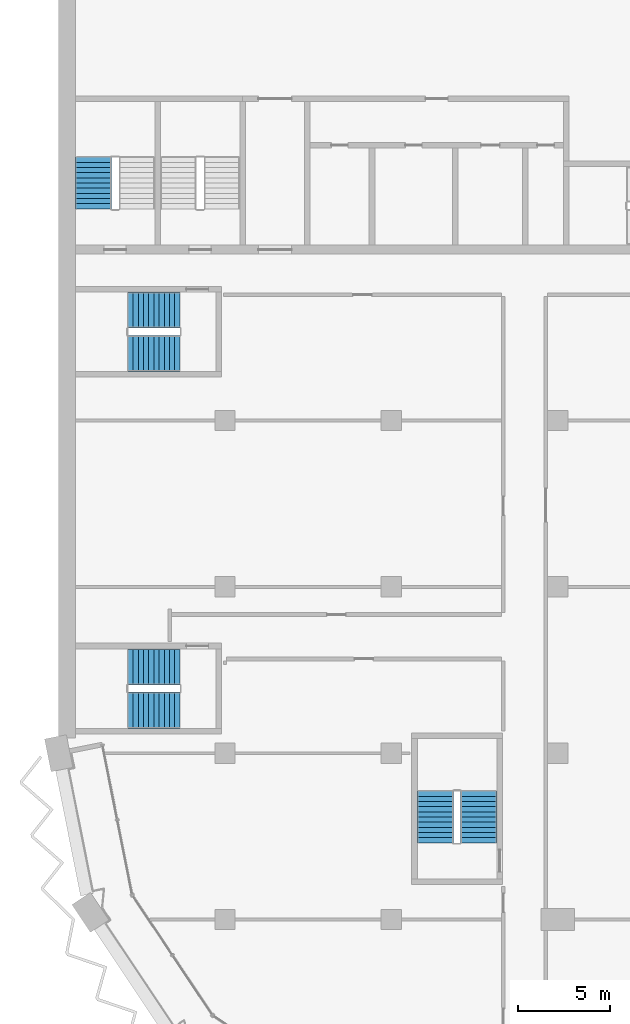
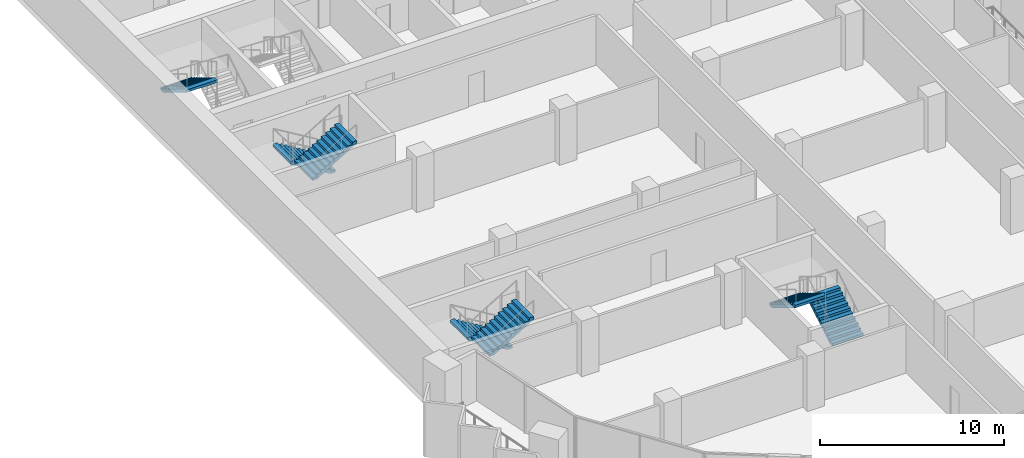
# One storey, part 11 of 17: 7 stair flights, 4 elements without a shape of their own.
"""IFC4 building model written with IfcOpenShell, lengths in metres."""

from ifc_helpers import new_model, si_unit, direction, frame, origin, place, context, subcontext, project, spatial, polyline, outline, extrude, material, type_object, element, aggregate, save


model = new_model("IFC4")

# Units and contexts
model_context = context("Model", 3, precision=1e-05, world=origin(), true_north=direction((0.0, 1.0)))
body_context = subcontext(model_context, "Body", "Model", "MODEL_VIEW")
ifc_project = project(units=[si_unit("LENGTHUNIT", "METRE"), si_unit("AREAUNIT", "SQUARE_METRE"), si_unit("VOLUMEUNIT", "CUBIC_METRE"), si_unit("PLANEANGLEUNIT", "RADIAN"), si_unit("MASSUNIT", "GRAM", prefix="KILO")], contexts=[model_context])

# Site, building, storey
site_placement = place(None, origin())
site = spatial("IfcSite", under=ifc_project, at=site_placement, CompositionType="ELEMENT")
building_placement = place(site_placement, origin())
building = spatial("IfcBuilding", under=site, at=building_placement, Name="Hunhe Ridgeline Campus", CompositionType="ELEMENT")
storey_placement = place(building_placement, frame((0.0, 0.0, 201.300048828125)))
storey = spatial("IfcBuildingStorey", under=building, at=storey_placement, Name="L51", CompositionType="ELEMENT", Elevation=201.300048828125)

# Stair, stair flight
ifc_material = material(Name="Concrete C40", Category="concrete")
stair_type = type_object("IfcStairType", Name="Reinforced concrete dog-leg stair 1950 Concrete C40", PredefinedType="HALF_TURN_STAIR", material=ifc_material)
stair_1_placement = place(storey_placement, origin())
stair_1 = element("IfcStair", 1, at=stair_1_placement, inside=storey, type_object=stair_type, Name="L51 S3", PredefinedType="HALF_TURN_STAIR")
stair_flight_type = type_object("IfcStairFlightType", Name="Reinforced concrete stair flight 1950 Concrete C40", PredefinedType="STRAIGHT", material=ifc_material)
stair_flight_1_placement = place(storey_placement, frame((1.875, 68.25, 1.849853515625), z_axis=(0.0, 0.0, 1.0), x_axis=(0.0, -1.0, 0.0)))
stair_flight_1 = element("IfcStairFlight", 2, at=stair_flight_1_placement, type_object=stair_flight_type, Name="ST3 flight 2", NumberOfRisers=11, NumberOfTreads=10, PredefinedType="STRAIGHT", RiserHeight=0.168181818, TreadLength=0.28, context=body_context, shape_type="SweptSolid", body=[
    extrude(outline(polyline([(0.0, 0.0), (0.0, 0.168212890625), (0.280029296875, 0.168212890625), (0.280029296875, 0.33642578125), (0.56005859375, 0.33642578125), (0.56005859375, 0.504638671875), (0.840087890625, 0.504638671875), (0.840087890625, 0.672607421875), (1.1201171875, 0.672607421875), (1.1201171875, 0.8408203125), (1.39990234375, 0.8408203125), (1.39990234375, 1.009033203125), (1.679931640625, 1.009033203125), (1.679931640625, 1.17724609375), (1.9599609375, 1.17724609375), (1.9599609375, 1.345458984375), (2.239990234375, 1.345458984375), (2.239990234375, 1.513671875), (2.52001953125, 1.513671875), (2.52001953125, 1.681884765625), (2.800048828125, 1.681884765625), (2.800048828125, 1.85009765625), (2.800048828125, 1.5068359375), (0.291015625, 0.0), (0.0, 0.0)])), frame((0.0, 0.97509765625, 0.0), z_axis=(0.0, -1.0, 0.0), x_axis=(1.0, 0.0, 0.0)), (0.0, 0.0, 1.0), 1.949951171875),
    extrude(outline(polyline([(0.030029296875, 0.030029296875), (0.030029296875, 0.13818359375), (0.31005859375, 0.13818359375), (0.31005859375, 0.306396484375), (0.590087890625, 0.306396484375), (0.590087890625, 0.474609375), (0.8701171875, 0.474609375), (0.8701171875, 0.642578125), (1.14990234375, 0.642578125), (1.14990234375, 0.810791015625), (1.429931640625, 0.810791015625), (1.429931640625, 0.97900390625), (1.7099609375, 0.97900390625), (1.7099609375, 1.147216796875), (1.989990234375, 1.147216796875), (1.989990234375, 1.3154296875), (2.27001953125, 1.3154296875), (2.27001953125, 1.483642578125), (2.550048828125, 1.483642578125), (2.550048828125, 1.65185546875), (2.77001953125, 1.65185546875), (2.77001953125, 1.52392578125), (0.28271484375, 0.030029296875), (0.030029296875, 0.030029296875)])), frame((0.0, -0.070068359375, 0.0), z_axis=(0.0, -1.0, 0.0), x_axis=(1.0, 0.0, 0.0)), (0.0, 0.0, 1.0), 0.019775390625),
    extrude(outline(polyline([(0.030029296875, 0.030029296875), (0.030029296875, 0.13818359375), (0.31005859375, 0.13818359375), (0.31005859375, 0.306396484375), (0.590087890625, 0.306396484375), (0.590087890625, 0.474609375), (0.8701171875, 0.474609375), (0.8701171875, 0.642578125), (1.14990234375, 0.642578125), (1.14990234375, 0.810791015625), (1.429931640625, 0.810791015625), (1.429931640625, 0.97900390625), (1.7099609375, 0.97900390625), (1.7099609375, 1.147216796875), (1.989990234375, 1.147216796875), (1.989990234375, 1.3154296875), (2.27001953125, 1.3154296875), (2.27001953125, 1.483642578125), (2.550048828125, 1.483642578125), (2.550048828125, 1.65185546875), (2.77001953125, 1.65185546875), (2.77001953125, 1.52392578125), (0.28271484375, 0.030029296875), (0.030029296875, 0.030029296875)])), frame((0.0, 0.010009765625, 0.0), z_axis=(0.0, -1.0, 0.0), x_axis=(1.0, 0.0, 0.0)), (0.0, 0.0, 1.0), 0.019775390625),
    extrude(outline(polyline([(0.030029296875, 0.030029296875), (0.030029296875, 0.13818359375), (0.31005859375, 0.13818359375), (0.31005859375, 0.306396484375), (0.590087890625, 0.306396484375), (0.590087890625, 0.474609375), (0.8701171875, 0.474609375), (0.8701171875, 0.642578125), (1.14990234375, 0.642578125), (1.14990234375, 0.810791015625), (1.429931640625, 0.810791015625), (1.429931640625, 0.97900390625), (1.7099609375, 0.97900390625), (1.7099609375, 1.147216796875), (1.989990234375, 1.147216796875), (1.989990234375, 1.3154296875), (2.27001953125, 1.3154296875), (2.27001953125, 1.483642578125), (2.550048828125, 1.483642578125), (2.550048828125, 1.65185546875), (2.77001953125, 1.65185546875), (2.77001953125, 1.52392578125), (0.28271484375, 0.030029296875), (0.030029296875, 0.030029296875)])), frame((0.0, 0.090087890625, 0.0), z_axis=(0.0, -1.0, 0.0), x_axis=(1.0, 0.0, 0.0)), (0.0, 0.0, 1.0), 0.019775390625),
])
aggregate(stair_1, [stair_flight_1])

# Stair, stair flights
stair_2_placement = place(storey_placement, origin())
stair_2 = element("IfcStair", 3, at=stair_2_placement, inside=storey, type_object=stair_type, Name="L51 W3", PredefinedType="HALF_TURN_STAIR")
stair_flight_2_placement = place(storey_placement, frame((22.72509765625, 31.14990234375, 0.0), z_axis=(0.0, 0.0, 1.0), x_axis=(0.0, 1.0, 0.0)))
stair_flight_2 = element("IfcStairFlight", 4, at=stair_flight_2_placement, type_object=stair_flight_type, Name="ST9 flight 1", NumberOfRisers=11, NumberOfTreads=10, PredefinedType="STRAIGHT", RiserHeight=0.168181818, TreadLength=0.28, context=body_context, shape_type="SweptSolid", body=[
    extrude(outline(polyline([(0.0, 0.0), (0.0, 0.168212890625), (0.280029296875, 0.168212890625), (0.280029296875, 0.33642578125), (0.56005859375, 0.33642578125), (0.56005859375, 0.504638671875), (0.840087890625, 0.504638671875), (0.840087890625, 0.672607421875), (1.1201171875, 0.672607421875), (1.1201171875, 0.8408203125), (1.39990234375, 0.8408203125), (1.39990234375, 1.009033203125), (1.679931640625, 1.009033203125), (1.679931640625, 1.17724609375), (1.9599609375, 1.17724609375), (1.9599609375, 1.345458984375), (2.239990234375, 1.345458984375), (2.239990234375, 1.513671875), (2.52001953125, 1.513671875), (2.52001953125, 1.681884765625), (2.800048828125, 1.681884765625), (2.800048828125, 1.85009765625), (2.800048828125, 1.5068359375), (0.291015625, 0.0), (0.0, 0.0)])), frame((0.0, 0.97509765625, 0.0), z_axis=(0.0, -1.0, 0.0), x_axis=(1.0, 0.0, 0.0)), (0.0, 0.0, 1.0), 1.949951171875),
    extrude(outline(polyline([(0.030029296875, 0.030029296875), (0.030029296875, 0.13818359375), (0.31005859375, 0.13818359375), (0.31005859375, 0.306396484375), (0.590087890625, 0.306396484375), (0.590087890625, 0.474609375), (0.8701171875, 0.474609375), (0.8701171875, 0.642578125), (1.14990234375, 0.642578125), (1.14990234375, 0.810791015625), (1.429931640625, 0.810791015625), (1.429931640625, 0.97900390625), (1.7099609375, 0.97900390625), (1.7099609375, 1.147216796875), (1.989990234375, 1.147216796875), (1.989990234375, 1.3154296875), (2.27001953125, 1.3154296875), (2.27001953125, 1.483642578125), (2.550048828125, 1.483642578125), (2.550048828125, 1.65185546875), (2.77001953125, 1.65185546875), (2.77001953125, 1.52392578125), (0.28271484375, 0.030029296875), (0.030029296875, 0.030029296875)])), frame((0.0, -0.070068359375, 0.0), z_axis=(0.0, -1.0, 0.0), x_axis=(1.0, 0.0, 0.0)), (0.0, 0.0, 1.0), 0.019775390625),
    extrude(outline(polyline([(0.030029296875, 0.030029296875), (0.030029296875, 0.13818359375), (0.31005859375, 0.13818359375), (0.31005859375, 0.306396484375), (0.590087890625, 0.306396484375), (0.590087890625, 0.474609375), (0.8701171875, 0.474609375), (0.8701171875, 0.642578125), (1.14990234375, 0.642578125), (1.14990234375, 0.810791015625), (1.429931640625, 0.810791015625), (1.429931640625, 0.97900390625), (1.7099609375, 0.97900390625), (1.7099609375, 1.147216796875), (1.989990234375, 1.147216796875), (1.989990234375, 1.3154296875), (2.27001953125, 1.3154296875), (2.27001953125, 1.483642578125), (2.550048828125, 1.483642578125), (2.550048828125, 1.65185546875), (2.77001953125, 1.65185546875), (2.77001953125, 1.52392578125), (0.28271484375, 0.030029296875), (0.030029296875, 0.030029296875)])), frame((0.0, 0.010009765625, 0.0), z_axis=(0.0, -1.0, 0.0), x_axis=(1.0, 0.0, 0.0)), (0.0, 0.0, 1.0), 0.019775390625),
    extrude(outline(polyline([(0.030029296875, 0.030029296875), (0.030029296875, 0.13818359375), (0.31005859375, 0.13818359375), (0.31005859375, 0.306396484375), (0.590087890625, 0.306396484375), (0.590087890625, 0.474609375), (0.8701171875, 0.474609375), (0.8701171875, 0.642578125), (1.14990234375, 0.642578125), (1.14990234375, 0.810791015625), (1.429931640625, 0.810791015625), (1.429931640625, 0.97900390625), (1.7099609375, 0.97900390625), (1.7099609375, 1.147216796875), (1.989990234375, 1.147216796875), (1.989990234375, 1.3154296875), (2.27001953125, 1.3154296875), (2.27001953125, 1.483642578125), (2.550048828125, 1.483642578125), (2.550048828125, 1.65185546875), (2.77001953125, 1.65185546875), (2.77001953125, 1.52392578125), (0.28271484375, 0.030029296875), (0.030029296875, 0.030029296875)])), frame((0.0, 0.090087890625, 0.0), z_axis=(0.0, -1.0, 0.0), x_axis=(1.0, 0.0, 0.0)), (0.0, 0.0, 1.0), 0.019775390625),
])
stair_flight_3_placement = place(storey_placement, frame((20.375, 33.949951171875, 1.849853515625), z_axis=(0.0, 0.0, 1.0), x_axis=(0.0, -1.0, 0.0)))
stair_flight_3 = element("IfcStairFlight", 5, at=stair_flight_3_placement, type_object=stair_flight_type, Name="ST9 flight 2", NumberOfRisers=11, NumberOfTreads=10, PredefinedType="STRAIGHT", RiserHeight=0.168181818, TreadLength=0.28, context=body_context, shape_type="SweptSolid", body=[
    extrude(outline(polyline([(0.0, 0.0), (0.0, 0.168212890625), (0.280029296875, 0.168212890625), (0.280029296875, 0.33642578125), (0.56005859375, 0.33642578125), (0.56005859375, 0.504638671875), (0.840087890625, 0.504638671875), (0.840087890625, 0.672607421875), (1.1201171875, 0.672607421875), (1.1201171875, 0.8408203125), (1.39990234375, 0.8408203125), (1.39990234375, 1.009033203125), (1.679931640625, 1.009033203125), (1.679931640625, 1.17724609375), (1.9599609375, 1.17724609375), (1.9599609375, 1.345458984375), (2.239990234375, 1.345458984375), (2.239990234375, 1.513671875), (2.52001953125, 1.513671875), (2.52001953125, 1.681884765625), (2.800048828125, 1.681884765625), (2.800048828125, 1.85009765625), (2.800048828125, 1.5068359375), (0.291015625, 0.0), (0.0, 0.0)])), frame((0.0, 0.97509765625, 0.0), z_axis=(0.0, -1.0, 0.0), x_axis=(1.0, 0.0, 0.0)), (0.0, 0.0, 1.0), 1.949951171875),
    extrude(outline(polyline([(0.030029296875, 0.030029296875), (0.030029296875, 0.13818359375), (0.31005859375, 0.13818359375), (0.31005859375, 0.306396484375), (0.590087890625, 0.306396484375), (0.590087890625, 0.474609375), (0.8701171875, 0.474609375), (0.8701171875, 0.642578125), (1.14990234375, 0.642578125), (1.14990234375, 0.810791015625), (1.429931640625, 0.810791015625), (1.429931640625, 0.97900390625), (1.7099609375, 0.97900390625), (1.7099609375, 1.147216796875), (1.989990234375, 1.147216796875), (1.989990234375, 1.3154296875), (2.27001953125, 1.3154296875), (2.27001953125, 1.483642578125), (2.550048828125, 1.483642578125), (2.550048828125, 1.65185546875), (2.77001953125, 1.65185546875), (2.77001953125, 1.52392578125), (0.28271484375, 0.030029296875), (0.030029296875, 0.030029296875)])), frame((0.0, -0.070068359375, 0.0), z_axis=(0.0, -1.0, 0.0), x_axis=(1.0, 0.0, 0.0)), (0.0, 0.0, 1.0), 0.019775390625),
    extrude(outline(polyline([(0.030029296875, 0.030029296875), (0.030029296875, 0.13818359375), (0.31005859375, 0.13818359375), (0.31005859375, 0.306396484375), (0.590087890625, 0.306396484375), (0.590087890625, 0.474609375), (0.8701171875, 0.474609375), (0.8701171875, 0.642578125), (1.14990234375, 0.642578125), (1.14990234375, 0.810791015625), (1.429931640625, 0.810791015625), (1.429931640625, 0.97900390625), (1.7099609375, 0.97900390625), (1.7099609375, 1.147216796875), (1.989990234375, 1.147216796875), (1.989990234375, 1.3154296875), (2.27001953125, 1.3154296875), (2.27001953125, 1.483642578125), (2.550048828125, 1.483642578125), (2.550048828125, 1.65185546875), (2.77001953125, 1.65185546875), (2.77001953125, 1.52392578125), (0.28271484375, 0.030029296875), (0.030029296875, 0.030029296875)])), frame((0.0, 0.010009765625, 0.0), z_axis=(0.0, -1.0, 0.0), x_axis=(1.0, 0.0, 0.0)), (0.0, 0.0, 1.0), 0.019775390625),
    extrude(outline(polyline([(0.030029296875, 0.030029296875), (0.030029296875, 0.13818359375), (0.31005859375, 0.13818359375), (0.31005859375, 0.306396484375), (0.590087890625, 0.306396484375), (0.590087890625, 0.474609375), (0.8701171875, 0.474609375), (0.8701171875, 0.642578125), (1.14990234375, 0.642578125), (1.14990234375, 0.810791015625), (1.429931640625, 0.810791015625), (1.429931640625, 0.97900390625), (1.7099609375, 0.97900390625), (1.7099609375, 1.147216796875), (1.989990234375, 1.147216796875), (1.989990234375, 1.3154296875), (2.27001953125, 1.3154296875), (2.27001953125, 1.483642578125), (2.550048828125, 1.483642578125), (2.550048828125, 1.65185546875), (2.77001953125, 1.65185546875), (2.77001953125, 1.52392578125), (0.28271484375, 0.030029296875), (0.030029296875, 0.030029296875)])), frame((0.0, 0.090087890625, 0.0), z_axis=(0.0, -1.0, 0.0), x_axis=(1.0, 0.0, 0.0)), (0.0, 0.0, 1.0), 0.019775390625),
])
aggregate(stair_2, [stair_flight_2, stair_flight_3])

stair_3_placement = place(storey_placement, origin())
stair_3 = element("IfcStair", 6, at=stair_3_placement, inside=storey, type_object=stair_type, Name="L51 W1", PredefinedType="HALF_TURN_STAIR")
stair_flight_4_placement = place(storey_placement, frame((6.550048828125, 40.675048828125, 0.0), z_axis=(0.0, 0.0, 1.0), x_axis=(-1.0, 0.0, 0.0)))
stair_flight_4 = element("IfcStairFlight", 7, at=stair_flight_4_placement, type_object=stair_flight_type, Name="ST11 flight 1", NumberOfRisers=11, NumberOfTreads=10, PredefinedType="STRAIGHT", RiserHeight=0.168181818, TreadLength=0.28, context=body_context, shape_type="SweptSolid", body=[
    extrude(outline(polyline([(0.0, 0.0), (0.0, 0.168212890625), (0.280029296875, 0.168212890625), (0.280029296875, 0.33642578125), (0.56005859375, 0.33642578125), (0.56005859375, 0.504638671875), (0.840087890625, 0.504638671875), (0.840087890625, 0.672607421875), (1.1201171875, 0.672607421875), (1.1201171875, 0.8408203125), (1.39990234375, 0.8408203125), (1.39990234375, 1.009033203125), (1.679931640625, 1.009033203125), (1.679931640625, 1.17724609375), (1.9599609375, 1.17724609375), (1.9599609375, 1.345458984375), (2.239990234375, 1.345458984375), (2.239990234375, 1.513671875), (2.52001953125, 1.513671875), (2.52001953125, 1.681884765625), (2.800048828125, 1.681884765625), (2.800048828125, 1.85009765625), (2.800048828125, 1.5068359375), (0.291015625, 0.0), (0.0, 0.0)])), frame((0.0, 0.97509765625, 0.0), z_axis=(0.0, -1.0, 0.0), x_axis=(1.0, 0.0, 0.0)), (0.0, 0.0, 1.0), 1.949951171875),
    extrude(outline(polyline([(0.030029296875, 0.030029296875), (0.030029296875, 0.13818359375), (0.31005859375, 0.13818359375), (0.31005859375, 0.306396484375), (0.590087890625, 0.306396484375), (0.590087890625, 0.474609375), (0.8701171875, 0.474609375), (0.8701171875, 0.642578125), (1.14990234375, 0.642578125), (1.14990234375, 0.810791015625), (1.429931640625, 0.810791015625), (1.429931640625, 0.97900390625), (1.7099609375, 0.97900390625), (1.7099609375, 1.147216796875), (1.989990234375, 1.147216796875), (1.989990234375, 1.3154296875), (2.27001953125, 1.3154296875), (2.27001953125, 1.483642578125), (2.550048828125, 1.483642578125), (2.550048828125, 1.65185546875), (2.77001953125, 1.65185546875), (2.77001953125, 1.52392578125), (0.28271484375, 0.030029296875), (0.030029296875, 0.030029296875)])), frame((0.0, -0.070068359375, 0.0), z_axis=(0.0, -1.0, 0.0), x_axis=(1.0, 0.0, 0.0)), (0.0, 0.0, 1.0), 0.019775390625),
    extrude(outline(polyline([(0.030029296875, 0.030029296875), (0.030029296875, 0.13818359375), (0.31005859375, 0.13818359375), (0.31005859375, 0.306396484375), (0.590087890625, 0.306396484375), (0.590087890625, 0.474609375), (0.8701171875, 0.474609375), (0.8701171875, 0.642578125), (1.14990234375, 0.642578125), (1.14990234375, 0.810791015625), (1.429931640625, 0.810791015625), (1.429931640625, 0.97900390625), (1.7099609375, 0.97900390625), (1.7099609375, 1.147216796875), (1.989990234375, 1.147216796875), (1.989990234375, 1.3154296875), (2.27001953125, 1.3154296875), (2.27001953125, 1.483642578125), (2.550048828125, 1.483642578125), (2.550048828125, 1.65185546875), (2.77001953125, 1.65185546875), (2.77001953125, 1.52392578125), (0.28271484375, 0.030029296875), (0.030029296875, 0.030029296875)])), frame((0.0, 0.010009765625, 0.0), z_axis=(0.0, -1.0, 0.0), x_axis=(1.0, 0.0, 0.0)), (0.0, 0.0, 1.0), 0.019775390625),
    extrude(outline(polyline([(0.030029296875, 0.030029296875), (0.030029296875, 0.13818359375), (0.31005859375, 0.13818359375), (0.31005859375, 0.306396484375), (0.590087890625, 0.306396484375), (0.590087890625, 0.474609375), (0.8701171875, 0.474609375), (0.8701171875, 0.642578125), (1.14990234375, 0.642578125), (1.14990234375, 0.810791015625), (1.429931640625, 0.810791015625), (1.429931640625, 0.97900390625), (1.7099609375, 0.97900390625), (1.7099609375, 1.147216796875), (1.989990234375, 1.147216796875), (1.989990234375, 1.3154296875), (2.27001953125, 1.3154296875), (2.27001953125, 1.483642578125), (2.550048828125, 1.483642578125), (2.550048828125, 1.65185546875), (2.77001953125, 1.65185546875), (2.77001953125, 1.52392578125), (0.28271484375, 0.030029296875), (0.030029296875, 0.030029296875)])), frame((0.0, 0.090087890625, 0.0), z_axis=(0.0, -1.0, 0.0), x_axis=(1.0, 0.0, 0.0)), (0.0, 0.0, 1.0), 0.019775390625),
])
stair_flight_5_placement = place(storey_placement, frame((3.75, 38.324951171875, 1.849853515625), z_axis=(0.0, 0.0, 1.0), x_axis=(1.0, 0.0, 0.0)))
stair_flight_5 = element("IfcStairFlight", 8, at=stair_flight_5_placement, type_object=stair_flight_type, Name="ST11 flight 2", NumberOfRisers=11, NumberOfTreads=10, PredefinedType="STRAIGHT", RiserHeight=0.168181818, TreadLength=0.28, context=body_context, shape_type="SweptSolid", body=[
    extrude(outline(polyline([(0.0, 0.0), (0.0, 0.168212890625), (0.280029296875, 0.168212890625), (0.280029296875, 0.33642578125), (0.56005859375, 0.33642578125), (0.56005859375, 0.504638671875), (0.840087890625, 0.504638671875), (0.840087890625, 0.672607421875), (1.1201171875, 0.672607421875), (1.1201171875, 0.8408203125), (1.39990234375, 0.8408203125), (1.39990234375, 1.009033203125), (1.679931640625, 1.009033203125), (1.679931640625, 1.17724609375), (1.9599609375, 1.17724609375), (1.9599609375, 1.345458984375), (2.239990234375, 1.345458984375), (2.239990234375, 1.513671875), (2.52001953125, 1.513671875), (2.52001953125, 1.681884765625), (2.800048828125, 1.681884765625), (2.800048828125, 1.85009765625), (2.800048828125, 1.5068359375), (0.291015625, 0.0), (0.0, 0.0)])), frame((0.0, 0.97509765625, 0.0), z_axis=(0.0, -1.0, 0.0), x_axis=(1.0, 0.0, 0.0)), (0.0, 0.0, 1.0), 1.949951171875),
    extrude(outline(polyline([(0.030029296875, 0.030029296875), (0.030029296875, 0.13818359375), (0.31005859375, 0.13818359375), (0.31005859375, 0.306396484375), (0.590087890625, 0.306396484375), (0.590087890625, 0.474609375), (0.8701171875, 0.474609375), (0.8701171875, 0.642578125), (1.14990234375, 0.642578125), (1.14990234375, 0.810791015625), (1.429931640625, 0.810791015625), (1.429931640625, 0.97900390625), (1.7099609375, 0.97900390625), (1.7099609375, 1.147216796875), (1.989990234375, 1.147216796875), (1.989990234375, 1.3154296875), (2.27001953125, 1.3154296875), (2.27001953125, 1.483642578125), (2.550048828125, 1.483642578125), (2.550048828125, 1.65185546875), (2.77001953125, 1.65185546875), (2.77001953125, 1.52392578125), (0.28271484375, 0.030029296875), (0.030029296875, 0.030029296875)])), frame((0.0, -0.070068359375, 0.0), z_axis=(0.0, -1.0, 0.0), x_axis=(1.0, 0.0, 0.0)), (0.0, 0.0, 1.0), 0.019775390625),
    extrude(outline(polyline([(0.030029296875, 0.030029296875), (0.030029296875, 0.13818359375), (0.31005859375, 0.13818359375), (0.31005859375, 0.306396484375), (0.590087890625, 0.306396484375), (0.590087890625, 0.474609375), (0.8701171875, 0.474609375), (0.8701171875, 0.642578125), (1.14990234375, 0.642578125), (1.14990234375, 0.810791015625), (1.429931640625, 0.810791015625), (1.429931640625, 0.97900390625), (1.7099609375, 0.97900390625), (1.7099609375, 1.147216796875), (1.989990234375, 1.147216796875), (1.989990234375, 1.3154296875), (2.27001953125, 1.3154296875), (2.27001953125, 1.483642578125), (2.550048828125, 1.483642578125), (2.550048828125, 1.65185546875), (2.77001953125, 1.65185546875), (2.77001953125, 1.52392578125), (0.28271484375, 0.030029296875), (0.030029296875, 0.030029296875)])), frame((0.0, 0.010009765625, 0.0), z_axis=(0.0, -1.0, 0.0), x_axis=(1.0, 0.0, 0.0)), (0.0, 0.0, 1.0), 0.019775390625),
    extrude(outline(polyline([(0.030029296875, 0.030029296875), (0.030029296875, 0.13818359375), (0.31005859375, 0.13818359375), (0.31005859375, 0.306396484375), (0.590087890625, 0.306396484375), (0.590087890625, 0.474609375), (0.8701171875, 0.474609375), (0.8701171875, 0.642578125), (1.14990234375, 0.642578125), (1.14990234375, 0.810791015625), (1.429931640625, 0.810791015625), (1.429931640625, 0.97900390625), (1.7099609375, 0.97900390625), (1.7099609375, 1.147216796875), (1.989990234375, 1.147216796875), (1.989990234375, 1.3154296875), (2.27001953125, 1.3154296875), (2.27001953125, 1.483642578125), (2.550048828125, 1.483642578125), (2.550048828125, 1.65185546875), (2.77001953125, 1.65185546875), (2.77001953125, 1.52392578125), (0.28271484375, 0.030029296875), (0.030029296875, 0.030029296875)])), frame((0.0, 0.090087890625, 0.0), z_axis=(0.0, -1.0, 0.0), x_axis=(1.0, 0.0, 0.0)), (0.0, 0.0, 1.0), 0.019775390625),
])
aggregate(stair_3, [stair_flight_4, stair_flight_5])

stair_4_placement = place(storey_placement, origin())
stair_4 = element("IfcStair", 9, at=stair_4_placement, inside=storey, type_object=stair_type, Name="L51 W2", PredefinedType="HALF_TURN_STAIR")
stair_flight_6_placement = place(storey_placement, frame((6.550048828125, 59.97509765625, 0.0), z_axis=(0.0, 0.0, 1.0), x_axis=(-1.0, 0.0, 0.0)))
stair_flight_6 = element("IfcStairFlight", 10, at=stair_flight_6_placement, type_object=stair_flight_type, Name="ST12 flight 1", NumberOfRisers=11, NumberOfTreads=10, PredefinedType="STRAIGHT", RiserHeight=0.168181818, TreadLength=0.28, context=body_context, shape_type="SweptSolid", body=[
    extrude(outline(polyline([(0.0, 0.0), (0.0, 0.168212890625), (0.280029296875, 0.168212890625), (0.280029296875, 0.33642578125), (0.56005859375, 0.33642578125), (0.56005859375, 0.504638671875), (0.840087890625, 0.504638671875), (0.840087890625, 0.672607421875), (1.1201171875, 0.672607421875), (1.1201171875, 0.8408203125), (1.39990234375, 0.8408203125), (1.39990234375, 1.009033203125), (1.679931640625, 1.009033203125), (1.679931640625, 1.17724609375), (1.9599609375, 1.17724609375), (1.9599609375, 1.345458984375), (2.239990234375, 1.345458984375), (2.239990234375, 1.513671875), (2.52001953125, 1.513671875), (2.52001953125, 1.681884765625), (2.800048828125, 1.681884765625), (2.800048828125, 1.85009765625), (2.800048828125, 1.5068359375), (0.291015625, 0.0), (0.0, 0.0)])), frame((0.0, 0.97509765625, 0.0), z_axis=(0.0, -1.0, 0.0), x_axis=(1.0, 0.0, 0.0)), (0.0, 0.0, 1.0), 1.949951171875),
    extrude(outline(polyline([(0.030029296875, 0.030029296875), (0.030029296875, 0.13818359375), (0.31005859375, 0.13818359375), (0.31005859375, 0.306396484375), (0.590087890625, 0.306396484375), (0.590087890625, 0.474609375), (0.8701171875, 0.474609375), (0.8701171875, 0.642578125), (1.14990234375, 0.642578125), (1.14990234375, 0.810791015625), (1.429931640625, 0.810791015625), (1.429931640625, 0.97900390625), (1.7099609375, 0.97900390625), (1.7099609375, 1.147216796875), (1.989990234375, 1.147216796875), (1.989990234375, 1.3154296875), (2.27001953125, 1.3154296875), (2.27001953125, 1.483642578125), (2.550048828125, 1.483642578125), (2.550048828125, 1.65185546875), (2.77001953125, 1.65185546875), (2.77001953125, 1.52392578125), (0.28271484375, 0.030029296875), (0.030029296875, 0.030029296875)])), frame((0.0, -0.070068359375, 0.0), z_axis=(0.0, -1.0, 0.0), x_axis=(1.0, 0.0, 0.0)), (0.0, 0.0, 1.0), 0.019775390625),
    extrude(outline(polyline([(0.030029296875, 0.030029296875), (0.030029296875, 0.13818359375), (0.31005859375, 0.13818359375), (0.31005859375, 0.306396484375), (0.590087890625, 0.306396484375), (0.590087890625, 0.474609375), (0.8701171875, 0.474609375), (0.8701171875, 0.642578125), (1.14990234375, 0.642578125), (1.14990234375, 0.810791015625), (1.429931640625, 0.810791015625), (1.429931640625, 0.97900390625), (1.7099609375, 0.97900390625), (1.7099609375, 1.147216796875), (1.989990234375, 1.147216796875), (1.989990234375, 1.3154296875), (2.27001953125, 1.3154296875), (2.27001953125, 1.483642578125), (2.550048828125, 1.483642578125), (2.550048828125, 1.65185546875), (2.77001953125, 1.65185546875), (2.77001953125, 1.52392578125), (0.28271484375, 0.030029296875), (0.030029296875, 0.030029296875)])), frame((0.0, 0.010009765625, 0.0), z_axis=(0.0, -1.0, 0.0), x_axis=(1.0, 0.0, 0.0)), (0.0, 0.0, 1.0), 0.019775390625),
    extrude(outline(polyline([(0.030029296875, 0.030029296875), (0.030029296875, 0.13818359375), (0.31005859375, 0.13818359375), (0.31005859375, 0.306396484375), (0.590087890625, 0.306396484375), (0.590087890625, 0.474609375), (0.8701171875, 0.474609375), (0.8701171875, 0.642578125), (1.14990234375, 0.642578125), (1.14990234375, 0.810791015625), (1.429931640625, 0.810791015625), (1.429931640625, 0.97900390625), (1.7099609375, 0.97900390625), (1.7099609375, 1.147216796875), (1.989990234375, 1.147216796875), (1.989990234375, 1.3154296875), (2.27001953125, 1.3154296875), (2.27001953125, 1.483642578125), (2.550048828125, 1.483642578125), (2.550048828125, 1.65185546875), (2.77001953125, 1.65185546875), (2.77001953125, 1.52392578125), (0.28271484375, 0.030029296875), (0.030029296875, 0.030029296875)])), frame((0.0, 0.090087890625, 0.0), z_axis=(0.0, -1.0, 0.0), x_axis=(1.0, 0.0, 0.0)), (0.0, 0.0, 1.0), 0.019775390625),
])
stair_flight_7_placement = place(storey_placement, frame((3.75, 57.625, 1.849853515625), z_axis=(0.0, 0.0, 1.0), x_axis=(1.0, 0.0, 0.0)))
stair_flight_7 = element("IfcStairFlight", 11, at=stair_flight_7_placement, type_object=stair_flight_type, Name="ST12 flight 2", NumberOfRisers=11, NumberOfTreads=10, PredefinedType="STRAIGHT", RiserHeight=0.168181818, TreadLength=0.28, context=body_context, shape_type="SweptSolid", body=[
    extrude(outline(polyline([(0.0, 0.0), (0.0, 0.168212890625), (0.280029296875, 0.168212890625), (0.280029296875, 0.33642578125), (0.56005859375, 0.33642578125), (0.56005859375, 0.504638671875), (0.840087890625, 0.504638671875), (0.840087890625, 0.672607421875), (1.1201171875, 0.672607421875), (1.1201171875, 0.8408203125), (1.39990234375, 0.8408203125), (1.39990234375, 1.009033203125), (1.679931640625, 1.009033203125), (1.679931640625, 1.17724609375), (1.9599609375, 1.17724609375), (1.9599609375, 1.345458984375), (2.239990234375, 1.345458984375), (2.239990234375, 1.513671875), (2.52001953125, 1.513671875), (2.52001953125, 1.681884765625), (2.800048828125, 1.681884765625), (2.800048828125, 1.85009765625), (2.800048828125, 1.5068359375), (0.291015625, 0.0), (0.0, 0.0)])), frame((0.0, 0.97509765625, 0.0), z_axis=(0.0, -1.0, 0.0), x_axis=(1.0, 0.0, 0.0)), (0.0, 0.0, 1.0), 1.949951171875),
    extrude(outline(polyline([(0.030029296875, 0.030029296875), (0.030029296875, 0.13818359375), (0.31005859375, 0.13818359375), (0.31005859375, 0.306396484375), (0.590087890625, 0.306396484375), (0.590087890625, 0.474609375), (0.8701171875, 0.474609375), (0.8701171875, 0.642578125), (1.14990234375, 0.642578125), (1.14990234375, 0.810791015625), (1.429931640625, 0.810791015625), (1.429931640625, 0.97900390625), (1.7099609375, 0.97900390625), (1.7099609375, 1.147216796875), (1.989990234375, 1.147216796875), (1.989990234375, 1.3154296875), (2.27001953125, 1.3154296875), (2.27001953125, 1.483642578125), (2.550048828125, 1.483642578125), (2.550048828125, 1.65185546875), (2.77001953125, 1.65185546875), (2.77001953125, 1.52392578125), (0.28271484375, 0.030029296875), (0.030029296875, 0.030029296875)])), frame((0.0, -0.070068359375, 0.0), z_axis=(0.0, -1.0, 0.0), x_axis=(1.0, 0.0, 0.0)), (0.0, 0.0, 1.0), 0.019775390625),
    extrude(outline(polyline([(0.030029296875, 0.030029296875), (0.030029296875, 0.13818359375), (0.31005859375, 0.13818359375), (0.31005859375, 0.306396484375), (0.590087890625, 0.306396484375), (0.590087890625, 0.474609375), (0.8701171875, 0.474609375), (0.8701171875, 0.642578125), (1.14990234375, 0.642578125), (1.14990234375, 0.810791015625), (1.429931640625, 0.810791015625), (1.429931640625, 0.97900390625), (1.7099609375, 0.97900390625), (1.7099609375, 1.147216796875), (1.989990234375, 1.147216796875), (1.989990234375, 1.3154296875), (2.27001953125, 1.3154296875), (2.27001953125, 1.483642578125), (2.550048828125, 1.483642578125), (2.550048828125, 1.65185546875), (2.77001953125, 1.65185546875), (2.77001953125, 1.52392578125), (0.28271484375, 0.030029296875), (0.030029296875, 0.030029296875)])), frame((0.0, 0.010009765625, 0.0), z_axis=(0.0, -1.0, 0.0), x_axis=(1.0, 0.0, 0.0)), (0.0, 0.0, 1.0), 0.019775390625),
    extrude(outline(polyline([(0.030029296875, 0.030029296875), (0.030029296875, 0.13818359375), (0.31005859375, 0.13818359375), (0.31005859375, 0.306396484375), (0.590087890625, 0.306396484375), (0.590087890625, 0.474609375), (0.8701171875, 0.474609375), (0.8701171875, 0.642578125), (1.14990234375, 0.642578125), (1.14990234375, 0.810791015625), (1.429931640625, 0.810791015625), (1.429931640625, 0.97900390625), (1.7099609375, 0.97900390625), (1.7099609375, 1.147216796875), (1.989990234375, 1.147216796875), (1.989990234375, 1.3154296875), (2.27001953125, 1.3154296875), (2.27001953125, 1.483642578125), (2.550048828125, 1.483642578125), (2.550048828125, 1.65185546875), (2.77001953125, 1.65185546875), (2.77001953125, 1.52392578125), (0.28271484375, 0.030029296875), (0.030029296875, 0.030029296875)])), frame((0.0, 0.090087890625, 0.0), z_axis=(0.0, -1.0, 0.0), x_axis=(1.0, 0.0, 0.0)), (0.0, 0.0, 1.0), 0.019775390625),
])
aggregate(stair_4, [stair_flight_6, stair_flight_7])

save(model, "model.ifc")
